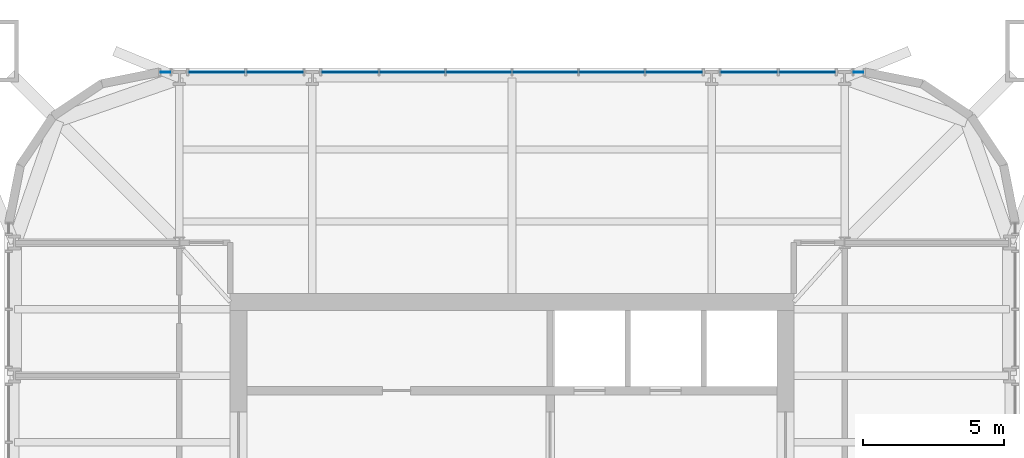
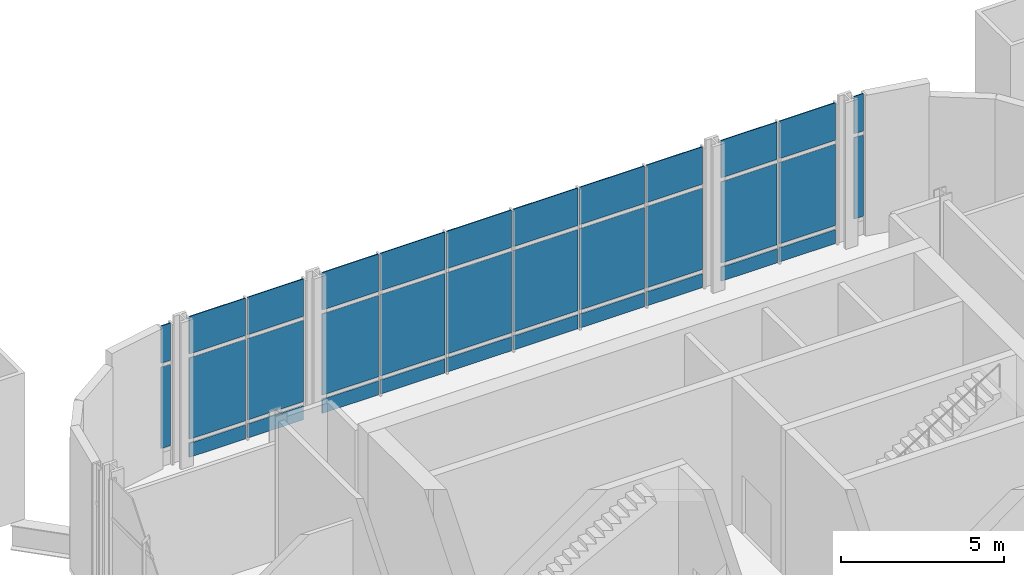
# One storey, part 12 of 17: 34 plates, 5 elements without a shape of their own.
"""IFC4 building model written with IfcOpenShell, lengths in metres."""

from ifc_helpers import new_model, si_unit, direction, frame, origin, origin_2d, place, context, subcontext, project, spatial, rectangle, extrude, material, layer, layer_set, type_object, element, aggregate, save


model = new_model("IFC4")

# Units and contexts
model_context = context("Model", 3, precision=1e-05, world=origin(), true_north=direction((0.0, 1.0)))
body_context = subcontext(model_context, "Body", "Model", "MODEL_VIEW")
ifc_project = project(units=[si_unit("LENGTHUNIT", "METRE"), si_unit("AREAUNIT", "SQUARE_METRE"), si_unit("VOLUMEUNIT", "CUBIC_METRE"), si_unit("PLANEANGLEUNIT", "RADIAN"), si_unit("MASSUNIT", "GRAM", prefix="KILO")], contexts=[model_context])

# Site, building, storey
site_placement = place(None, origin())
site = spatial("IfcSite", under=ifc_project, at=site_placement, CompositionType="ELEMENT")
building_placement = place(site_placement, origin())
building = spatial("IfcBuilding", under=site, at=building_placement, Name="Turquesa Mirador Hotel Tower", CompositionType="ELEMENT")
storey_placement = place(building_placement, frame((0.0, 0.0, 266.699951171875)))
storey = spatial("IfcBuildingStorey", under=building, at=storey_placement, Name="L72", CompositionType="ELEMENT", Elevation=266.699951171875)

# Curtain wall, plates
ifc_material_1 = material(Name="Aluminium extrusion", Category="aluminium")
curtain_wall_type = type_object("IfcCurtainWallType", Name="CW-6 OBSERVATION CURTAIN WALL", PredefinedType="USERDEFINED", material=ifc_material_1)
curtain_wall_1_placement = place(storey_placement, origin())
curtain_wall_1 = element("IfcCurtainWall", 1, at=curtain_wall_1_placement, inside=storey, type_object=curtain_wall_type, Name="CW-6 OBSERVATION CURTAIN WALL L72", ObjectType="CURTAIN WALL", PredefinedType="USERDEFINED")
ifc_material_2 = material(Name="Ceramic-printed spandrel glass on an insulated back pan", Category="glass")
ifc_layer_1 = layer(ifc_material_2, 0.050048828125)
ifc_layer_set_1 = layer_set([ifc_layer_1], Name="CW PANEL SPANDREL CERAMIC")
plate_type_1 = type_object("IfcPlateType", Name="CW PANEL SPANDREL CERAMIC", PredefinedType="CURTAIN_PANEL", material=ifc_layer_set_1)
plate_1_placement = place(storey_placement, frame((65.469970703125, 62.85009765625, 0.0), z_axis=(0.0, 0.0, 1.0), x_axis=(-1.0, 0.0, 0.0)))
plate_1 = element("IfcPlate", 2, at=plate_1_placement, type_object=plate_type_1, Name="Panel", PredefinedType="CURTAIN_PANEL", context=body_context, shape_type="SweptSolid", body=[
    extrude(rectangle(XDim=1.9951171875, YDim=0.050048828125, at=origin_2d()), origin(), (0.0, 0.0, 1.0), 0.52490234375),
])
plate_2_placement = place(storey_placement, frame((63.409912109375, 62.85009765625, 0.0), z_axis=(0.0, 0.0, 1.0), x_axis=(-1.0, 0.0, 0.0)))
plate_2 = element("IfcPlate", 3, at=plate_2_placement, type_object=plate_type_1, Name="Panel", PredefinedType="CURTAIN_PANEL", context=body_context, shape_type="SweptSolid", body=[
    extrude(rectangle(XDim=1.9951171875, YDim=0.050048828125, at=origin_2d()), origin(), (0.0, 0.0, 1.0), 0.52490234375),
])

curtain_wall_2_placement = place(storey_placement, origin())
curtain_wall_2 = element("IfcCurtainWall", 4, at=curtain_wall_2_placement, inside=storey, type_object=curtain_wall_type, Name="CW-6 OBSERVATION CURTAIN WALL L72", ObjectType="CURTAIN WALL", PredefinedType="USERDEFINED")
plate_3_placement = place(storey_placement, frame((60.75, 62.85009765625, 0.0), z_axis=(0.0, 0.0, 1.0), x_axis=(-1.0, 0.0, 0.0)))
plate_3 = element("IfcPlate", 5, at=plate_3_placement, type_object=plate_type_1, Name="Panel", PredefinedType="CURTAIN_PANEL", context=body_context, shape_type="SweptSolid", body=[
    extrude(rectangle(XDim=1.9951171875, YDim=0.050048828125, at=origin_2d()), origin(), (0.0, 0.0, 1.0), 0.52490234375),
])
plate_4_placement = place(storey_placement, frame((58.5400390625, 62.85009765625, 0.0), z_axis=(0.0, 0.0, 1.0), x_axis=(-1.0, 0.0, 0.0)))
plate_4 = element("IfcPlate", 6, at=plate_4_placement, type_object=plate_type_1, Name="Panel", PredefinedType="CURTAIN_PANEL", context=body_context, shape_type="SweptSolid", body=[
    extrude(rectangle(XDim=2.294921875, YDim=0.050048828125, at=origin_2d()), origin(), (0.0, 0.0, 1.0), 0.52490234375),
])
plate_5_placement = place(storey_placement, frame((56.179931640625, 62.85009765625, 0.0), z_axis=(0.0, 0.0, 1.0), x_axis=(-1.0, 0.0, 0.0)))
plate_5 = element("IfcPlate", 7, at=plate_5_placement, type_object=plate_type_1, Name="Panel", PredefinedType="CURTAIN_PANEL", context=body_context, shape_type="SweptSolid", body=[
    extrude(rectangle(XDim=2.294921875, YDim=0.050048828125, at=origin_2d()), origin(), (0.0, 0.0, 1.0), 0.52490234375),
])
plate_6_placement = place(storey_placement, frame((53.820068359375, 62.85009765625, 0.0), z_axis=(0.0, 0.0, 1.0), x_axis=(-1.0, 0.0, 0.0)))
plate_6 = element("IfcPlate", 8, at=plate_6_placement, type_object=plate_type_1, Name="Panel", PredefinedType="CURTAIN_PANEL", context=body_context, shape_type="SweptSolid", body=[
    extrude(rectangle(XDim=2.294921875, YDim=0.050048828125, at=origin_2d()), origin(), (0.0, 0.0, 1.0), 0.52490234375),
])
plate_7_placement = place(storey_placement, frame((51.4599609375, 62.85009765625, 0.0), z_axis=(0.0, 0.0, 1.0), x_axis=(-1.0, 0.0, 0.0)))
plate_7 = element("IfcPlate", 9, at=plate_7_placement, type_object=plate_type_1, Name="Panel", PredefinedType="CURTAIN_PANEL", context=body_context, shape_type="SweptSolid", body=[
    extrude(rectangle(XDim=2.294921875, YDim=0.050048828125, at=origin_2d()), origin(), (0.0, 0.0, 1.0), 0.52490234375),
])
plate_8_placement = place(storey_placement, frame((49.25, 62.85009765625, 0.0), z_axis=(0.0, 0.0, 1.0), x_axis=(-1.0, 0.0, 0.0)))
plate_8 = element("IfcPlate", 10, at=plate_8_placement, type_object=plate_type_1, Name="Panel", PredefinedType="CURTAIN_PANEL", context=body_context, shape_type="SweptSolid", body=[
    extrude(rectangle(XDim=1.9951171875, YDim=0.050048828125, at=origin_2d()), origin(), (0.0, 0.0, 1.0), 0.52490234375),
])

curtain_wall_3_placement = place(storey_placement, origin())
curtain_wall_3 = element("IfcCurtainWall", 11, at=curtain_wall_3_placement, inside=storey, type_object=curtain_wall_type, Name="CW-6 OBSERVATION CURTAIN WALL L72", ObjectType="CURTAIN WALL", PredefinedType="USERDEFINED")
plate_9_placement = place(storey_placement, frame((46.590087890625, 62.85009765625, 0.0), z_axis=(0.0, 0.0, 1.0), x_axis=(-1.0, 0.0, 0.0)))
plate_9 = element("IfcPlate", 12, at=plate_9_placement, type_object=plate_type_1, Name="Panel", PredefinedType="CURTAIN_PANEL", context=body_context, shape_type="SweptSolid", body=[
    extrude(rectangle(XDim=1.9951171875, YDim=0.050048828125, at=origin_2d()), origin(), (0.0, 0.0, 1.0), 0.52490234375),
])
plate_10_placement = place(storey_placement, frame((44.530029296875, 62.85009765625, 0.0), z_axis=(0.0, 0.0, 1.0), x_axis=(-1.0, 0.0, 0.0)))
plate_10 = element("IfcPlate", 13, at=plate_10_placement, type_object=plate_type_1, Name="Panel", PredefinedType="CURTAIN_PANEL", context=body_context, shape_type="SweptSolid", body=[
    extrude(rectangle(XDim=1.9951171875, YDim=0.050048828125, at=origin_2d()), origin(), (0.0, 0.0, 1.0), 0.52490234375),
])

curtain_wall_4_placement = place(storey_placement, origin())
curtain_wall_4 = element("IfcCurtainWall", 14, at=curtain_wall_4_placement, inside=storey, type_object=curtain_wall_type, Name="CW-6 OBSERVATION CURTAIN WALL L72", ObjectType="CURTAIN WALL", PredefinedType="USERDEFINED")
ifc_material_3 = material(Name="Ceramic-fritted laminated glass", Category="glass")
ifc_layer_2 = layer(ifc_material_3, 0.031982421875)
ifc_layer_set_2 = layer_set([ifc_layer_2], Name="CW PANEL VISION FRITTED")
plate_type_2 = type_object("IfcPlateType", Name="CW PANEL VISION FRITTED", PredefinedType="CURTAIN_PANEL", material=ifc_layer_set_2)
plate_11_placement = place(storey_placement, frame((67.300048828125, 62.85009765625, 0.6748046875), z_axis=(0.0, 0.0, 1.0), x_axis=(-1.0, 0.0, 0.0)))
plate_11 = element("IfcPlate", 15, at=plate_11_placement, type_object=plate_type_2, Name="Panel", PredefinedType="CURTAIN_PANEL", context=body_context, shape_type="SweptSolid", body=[
    extrude(rectangle(XDim=0.3349609375, YDim=0.031982421875, at=origin_2d()), origin(), (0.0, 0.0, 1.0), 3.050048828125),
])
plate_12_placement = place(storey_placement, frame((67.300048828125, 62.85009765625, 3.875), z_axis=(0.0, 0.0, 1.0), x_axis=(-1.0, 0.0, 0.0)))
plate_12 = element("IfcPlate", 16, at=plate_12_placement, type_object=plate_type_2, Name="Panel", PredefinedType="CURTAIN_PANEL", context=body_context, shape_type="SweptSolid", body=[
    extrude(rectangle(XDim=0.3349609375, YDim=0.031982421875, at=origin_2d()), origin(), (0.0, 0.0, 1.0), 1.405029296875),
])
aggregate(curtain_wall_4, [plate_11, plate_12])

# Plate
plate_13_placement = place(storey_placement, frame((65.469970703125, 62.85009765625, 0.6748046875), z_axis=(0.0, 0.0, 1.0), x_axis=(-1.0, 0.0, 0.0)))
plate_13 = element("IfcPlate", 17, at=plate_13_placement, type_object=plate_type_2, Name="Panel", PredefinedType="CURTAIN_PANEL", context=body_context, shape_type="SweptSolid", body=[
    extrude(rectangle(XDim=1.9951171875, YDim=0.031982421875, at=origin_2d()), origin(), (0.0, 0.0, 1.0), 3.050048828125),
])

plate_14_placement = place(storey_placement, frame((65.469970703125, 62.85009765625, 3.875), z_axis=(0.0, 0.0, 1.0), x_axis=(-1.0, 0.0, 0.0)))
plate_14 = element("IfcPlate", 18, at=plate_14_placement, type_object=plate_type_2, Name="Panel", PredefinedType="CURTAIN_PANEL", context=body_context, shape_type="SweptSolid", body=[
    extrude(rectangle(XDim=1.9951171875, YDim=0.031982421875, at=origin_2d()), origin(), (0.0, 0.0, 1.0), 1.405029296875),
])

plate_15_placement = place(storey_placement, frame((63.409912109375, 62.85009765625, 0.6748046875), z_axis=(0.0, 0.0, 1.0), x_axis=(-1.0, 0.0, 0.0)))
plate_15 = element("IfcPlate", 19, at=plate_15_placement, type_object=plate_type_2, Name="Panel", PredefinedType="CURTAIN_PANEL", context=body_context, shape_type="SweptSolid", body=[
    extrude(rectangle(XDim=1.9951171875, YDim=0.031982421875, at=origin_2d()), origin(), (0.0, 0.0, 1.0), 3.050048828125),
])

plate_16_placement = place(storey_placement, frame((63.409912109375, 62.85009765625, 3.875), z_axis=(0.0, 0.0, 1.0), x_axis=(-1.0, 0.0, 0.0)))
plate_16 = element("IfcPlate", 20, at=plate_16_placement, type_object=plate_type_2, Name="Panel", PredefinedType="CURTAIN_PANEL", context=body_context, shape_type="SweptSolid", body=[
    extrude(rectangle(XDim=1.9951171875, YDim=0.031982421875, at=origin_2d()), origin(), (0.0, 0.0, 1.0), 1.405029296875),
])

aggregate(curtain_wall_1, [plate_1, plate_13, plate_14, plate_2, plate_15, plate_16])

plate_17_placement = place(storey_placement, frame((60.75, 62.85009765625, 0.6748046875), z_axis=(0.0, 0.0, 1.0), x_axis=(-1.0, 0.0, 0.0)))
plate_17 = element("IfcPlate", 21, at=plate_17_placement, type_object=plate_type_2, Name="Panel", PredefinedType="CURTAIN_PANEL", context=body_context, shape_type="SweptSolid", body=[
    extrude(rectangle(XDim=1.9951171875, YDim=0.031982421875, at=origin_2d()), origin(), (0.0, 0.0, 1.0), 3.050048828125),
])

plate_18_placement = place(storey_placement, frame((60.75, 62.85009765625, 3.875), z_axis=(0.0, 0.0, 1.0), x_axis=(-1.0, 0.0, 0.0)))
plate_18 = element("IfcPlate", 22, at=plate_18_placement, type_object=plate_type_2, Name="Panel", PredefinedType="CURTAIN_PANEL", context=body_context, shape_type="SweptSolid", body=[
    extrude(rectangle(XDim=1.9951171875, YDim=0.031982421875, at=origin_2d()), origin(), (0.0, 0.0, 1.0), 1.405029296875),
])

plate_19_placement = place(storey_placement, frame((58.5400390625, 62.85009765625, 0.6748046875), z_axis=(0.0, 0.0, 1.0), x_axis=(-1.0, 0.0, 0.0)))
plate_19 = element("IfcPlate", 23, at=plate_19_placement, type_object=plate_type_2, Name="Panel", PredefinedType="CURTAIN_PANEL", context=body_context, shape_type="SweptSolid", body=[
    extrude(rectangle(XDim=2.294921875, YDim=0.031982421875, at=origin_2d()), origin(), (0.0, 0.0, 1.0), 3.050048828125),
])

plate_20_placement = place(storey_placement, frame((58.5400390625, 62.85009765625, 3.875), z_axis=(0.0, 0.0, 1.0), x_axis=(-1.0, 0.0, 0.0)))
plate_20 = element("IfcPlate", 24, at=plate_20_placement, type_object=plate_type_2, Name="Panel", PredefinedType="CURTAIN_PANEL", context=body_context, shape_type="SweptSolid", body=[
    extrude(rectangle(XDim=2.294921875, YDim=0.031982421875, at=origin_2d()), origin(), (0.0, 0.0, 1.0), 1.405029296875),
])

plate_21_placement = place(storey_placement, frame((56.179931640625, 62.85009765625, 0.6748046875), z_axis=(0.0, 0.0, 1.0), x_axis=(-1.0, 0.0, 0.0)))
plate_21 = element("IfcPlate", 25, at=plate_21_placement, type_object=plate_type_2, Name="Panel", PredefinedType="CURTAIN_PANEL", context=body_context, shape_type="SweptSolid", body=[
    extrude(rectangle(XDim=2.294921875, YDim=0.031982421875, at=origin_2d()), origin(), (0.0, 0.0, 1.0), 3.050048828125),
])

plate_22_placement = place(storey_placement, frame((56.179931640625, 62.85009765625, 3.875), z_axis=(0.0, 0.0, 1.0), x_axis=(-1.0, 0.0, 0.0)))
plate_22 = element("IfcPlate", 26, at=plate_22_placement, type_object=plate_type_2, Name="Panel", PredefinedType="CURTAIN_PANEL", context=body_context, shape_type="SweptSolid", body=[
    extrude(rectangle(XDim=2.294921875, YDim=0.031982421875, at=origin_2d()), origin(), (0.0, 0.0, 1.0), 1.405029296875),
])

plate_23_placement = place(storey_placement, frame((53.820068359375, 62.85009765625, 0.6748046875), z_axis=(0.0, 0.0, 1.0), x_axis=(-1.0, 0.0, 0.0)))
plate_23 = element("IfcPlate", 27, at=plate_23_placement, type_object=plate_type_2, Name="Panel", PredefinedType="CURTAIN_PANEL", context=body_context, shape_type="SweptSolid", body=[
    extrude(rectangle(XDim=2.294921875, YDim=0.031982421875, at=origin_2d()), origin(), (0.0, 0.0, 1.0), 3.050048828125),
])

plate_24_placement = place(storey_placement, frame((53.820068359375, 62.85009765625, 3.875), z_axis=(0.0, 0.0, 1.0), x_axis=(-1.0, 0.0, 0.0)))
plate_24 = element("IfcPlate", 28, at=plate_24_placement, type_object=plate_type_2, Name="Panel", PredefinedType="CURTAIN_PANEL", context=body_context, shape_type="SweptSolid", body=[
    extrude(rectangle(XDim=2.294921875, YDim=0.031982421875, at=origin_2d()), origin(), (0.0, 0.0, 1.0), 1.405029296875),
])

plate_25_placement = place(storey_placement, frame((51.4599609375, 62.85009765625, 0.6748046875), z_axis=(0.0, 0.0, 1.0), x_axis=(-1.0, 0.0, 0.0)))
plate_25 = element("IfcPlate", 29, at=plate_25_placement, type_object=plate_type_2, Name="Panel", PredefinedType="CURTAIN_PANEL", context=body_context, shape_type="SweptSolid", body=[
    extrude(rectangle(XDim=2.294921875, YDim=0.031982421875, at=origin_2d()), origin(), (0.0, 0.0, 1.0), 3.050048828125),
])

plate_26_placement = place(storey_placement, frame((51.4599609375, 62.85009765625, 3.875), z_axis=(0.0, 0.0, 1.0), x_axis=(-1.0, 0.0, 0.0)))
plate_26 = element("IfcPlate", 30, at=plate_26_placement, type_object=plate_type_2, Name="Panel", PredefinedType="CURTAIN_PANEL", context=body_context, shape_type="SweptSolid", body=[
    extrude(rectangle(XDim=2.294921875, YDim=0.031982421875, at=origin_2d()), origin(), (0.0, 0.0, 1.0), 1.405029296875),
])

plate_27_placement = place(storey_placement, frame((49.25, 62.85009765625, 0.6748046875), z_axis=(0.0, 0.0, 1.0), x_axis=(-1.0, 0.0, 0.0)))
plate_27 = element("IfcPlate", 31, at=plate_27_placement, type_object=plate_type_2, Name="Panel", PredefinedType="CURTAIN_PANEL", context=body_context, shape_type="SweptSolid", body=[
    extrude(rectangle(XDim=1.9951171875, YDim=0.031982421875, at=origin_2d()), origin(), (0.0, 0.0, 1.0), 3.050048828125),
])

plate_28_placement = place(storey_placement, frame((49.25, 62.85009765625, 3.875), z_axis=(0.0, 0.0, 1.0), x_axis=(-1.0, 0.0, 0.0)))
plate_28 = element("IfcPlate", 32, at=plate_28_placement, type_object=plate_type_2, Name="Panel", PredefinedType="CURTAIN_PANEL", context=body_context, shape_type="SweptSolid", body=[
    extrude(rectangle(XDim=1.9951171875, YDim=0.031982421875, at=origin_2d()), origin(), (0.0, 0.0, 1.0), 1.405029296875),
])

aggregate(curtain_wall_2, [plate_3, plate_17, plate_18, plate_4, plate_19, plate_20, plate_5, plate_21, plate_22, plate_6, plate_23, plate_24, plate_7, plate_25, plate_26, plate_8, plate_27, plate_28])

plate_29_placement = place(storey_placement, frame((46.590087890625, 62.85009765625, 0.6748046875), z_axis=(0.0, 0.0, 1.0), x_axis=(-1.0, 0.0, 0.0)))
plate_29 = element("IfcPlate", 33, at=plate_29_placement, type_object=plate_type_2, Name="Panel", PredefinedType="CURTAIN_PANEL", context=body_context, shape_type="SweptSolid", body=[
    extrude(rectangle(XDim=1.9951171875, YDim=0.031982421875, at=origin_2d()), origin(), (0.0, 0.0, 1.0), 3.050048828125),
])

plate_30_placement = place(storey_placement, frame((46.590087890625, 62.85009765625, 3.875), z_axis=(0.0, 0.0, 1.0), x_axis=(-1.0, 0.0, 0.0)))
plate_30 = element("IfcPlate", 34, at=plate_30_placement, type_object=plate_type_2, Name="Panel", PredefinedType="CURTAIN_PANEL", context=body_context, shape_type="SweptSolid", body=[
    extrude(rectangle(XDim=1.9951171875, YDim=0.031982421875, at=origin_2d()), origin(), (0.0, 0.0, 1.0), 1.405029296875),
])

plate_31_placement = place(storey_placement, frame((44.530029296875, 62.85009765625, 0.6748046875), z_axis=(0.0, 0.0, 1.0), x_axis=(-1.0, 0.0, 0.0)))
plate_31 = element("IfcPlate", 35, at=plate_31_placement, type_object=plate_type_2, Name="Panel", PredefinedType="CURTAIN_PANEL", context=body_context, shape_type="SweptSolid", body=[
    extrude(rectangle(XDim=1.9951171875, YDim=0.031982421875, at=origin_2d()), origin(), (0.0, 0.0, 1.0), 3.050048828125),
])

plate_32_placement = place(storey_placement, frame((44.530029296875, 62.85009765625, 3.875), z_axis=(0.0, 0.0, 1.0), x_axis=(-1.0, 0.0, 0.0)))
plate_32 = element("IfcPlate", 36, at=plate_32_placement, type_object=plate_type_2, Name="Panel", PredefinedType="CURTAIN_PANEL", context=body_context, shape_type="SweptSolid", body=[
    extrude(rectangle(XDim=1.9951171875, YDim=0.031982421875, at=origin_2d()), origin(), (0.0, 0.0, 1.0), 1.405029296875),
])

aggregate(curtain_wall_3, [plate_9, plate_29, plate_30, plate_10, plate_31, plate_32])

# Curtain wall, plates
curtain_wall_5_placement = place(storey_placement, origin())
curtain_wall_5 = element("IfcCurtainWall", 37, at=curtain_wall_5_placement, inside=storey, type_object=curtain_wall_type, Name="CW-6 OBSERVATION CURTAIN WALL L72", ObjectType="CURTAIN WALL", PredefinedType="USERDEFINED")
plate_33_placement = place(storey_placement, frame((42.699951171875, 62.85009765625, 0.6748046875), z_axis=(0.0, 0.0, 1.0), x_axis=(-1.0, 0.0, 0.0)))
plate_33 = element("IfcPlate", 38, at=plate_33_placement, type_object=plate_type_2, Name="Panel", PredefinedType="CURTAIN_PANEL", context=body_context, shape_type="SweptSolid", body=[
    extrude(rectangle(XDim=0.3349609375, YDim=0.031982421875, at=origin_2d()), origin(), (0.0, 0.0, 1.0), 3.050048828125),
])
plate_34_placement = place(storey_placement, frame((42.699951171875, 62.85009765625, 3.875), z_axis=(0.0, 0.0, 1.0), x_axis=(-1.0, 0.0, 0.0)))
plate_34 = element("IfcPlate", 39, at=plate_34_placement, type_object=plate_type_2, Name="Panel", PredefinedType="CURTAIN_PANEL", context=body_context, shape_type="SweptSolid", body=[
    extrude(rectangle(XDim=0.3349609375, YDim=0.031982421875, at=origin_2d()), origin(), (0.0, 0.0, 1.0), 1.405029296875),
])
aggregate(curtain_wall_5, [plate_33, plate_34])

save(model, "model.ifc")
